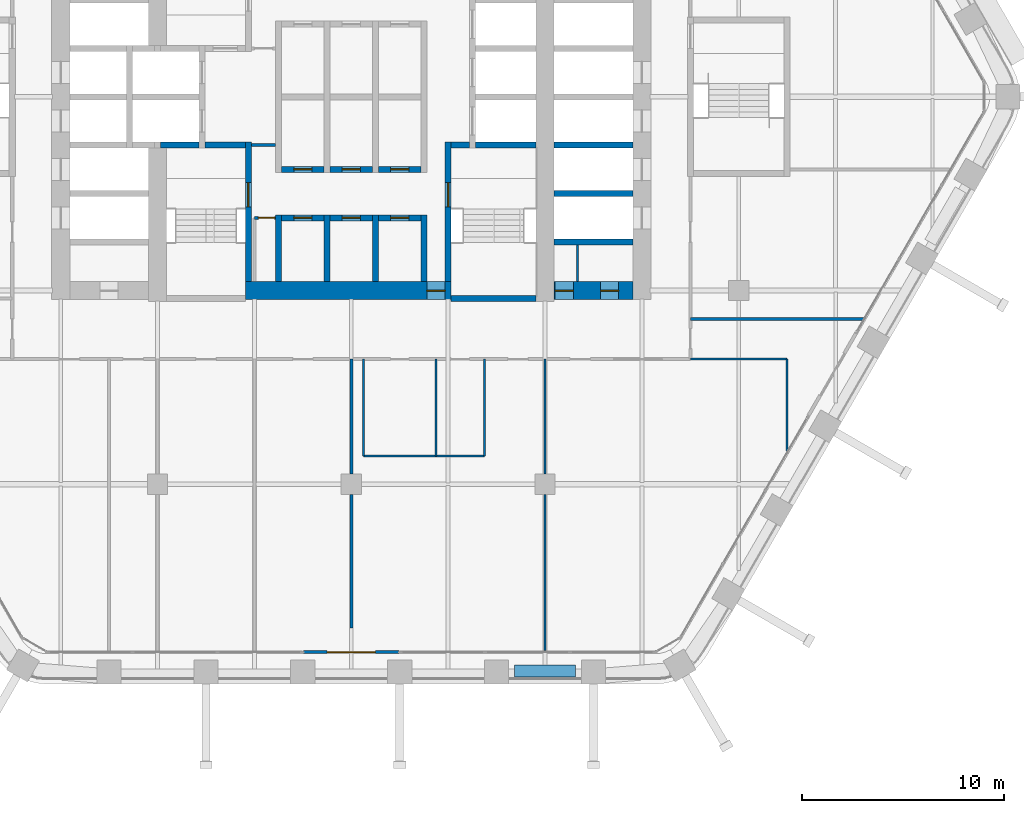
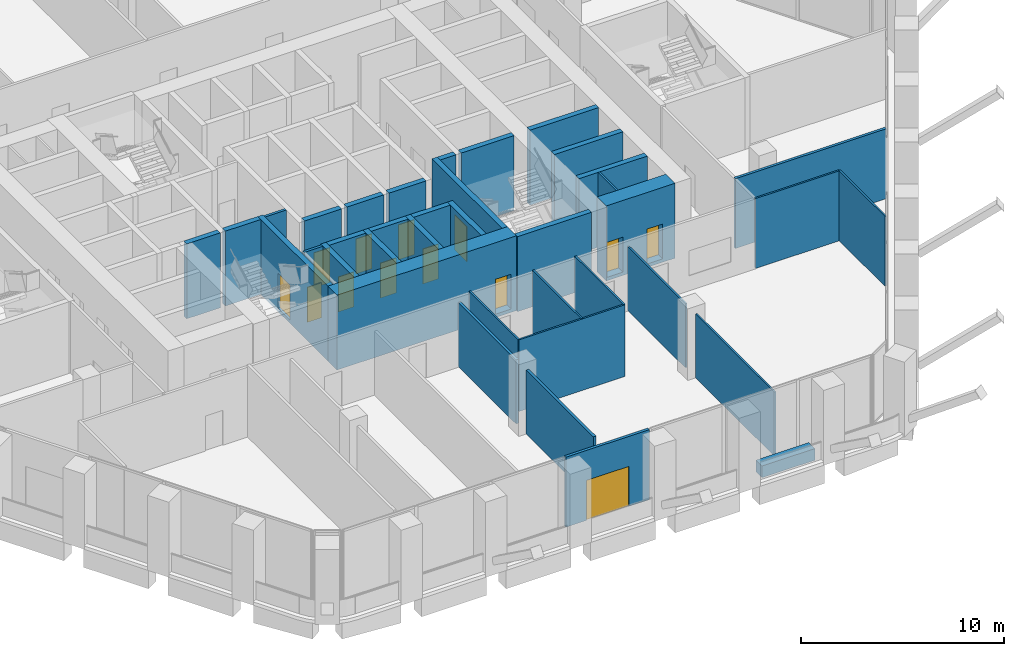
# One storey, part 14 of 24: 38 walls, 13 doors, 13 openings.
"""IFC4 building model written with IfcOpenShell, lengths in metres."""

from ifc_helpers import new_model, si_unit, direction, frame, frame_2d, origin, place, context, subcontext, project, spatial, rectangle, extrude, material, layer, layer_set, type_object, element, fill, save


model = new_model("IFC4")

# Units and contexts
model_context = context("Model", 3, precision=1e-05, world=origin(), true_north=direction((0.0, 1.0)))
body_context = subcontext(model_context, "Body", "Model", "MODEL_VIEW")
ifc_project = project(units=[si_unit("LENGTHUNIT", "METRE"), si_unit("AREAUNIT", "SQUARE_METRE"), si_unit("VOLUMEUNIT", "CUBIC_METRE"), si_unit("PLANEANGLEUNIT", "RADIAN"), si_unit("MASSUNIT", "GRAM", prefix="KILO")], contexts=[model_context])

# Site, building, storey
site_placement = place(None, origin())
site = spatial("IfcSite", under=ifc_project, at=site_placement, CompositionType="ELEMENT")
building_placement = place(site_placement, origin())
building = spatial("IfcBuilding", under=site, at=building_placement, Name="Kolab Exchange Tower", CompositionType="ELEMENT")
storey_placement = place(building_placement, frame((0.0, 0.0, 86.89990234375)))
storey = spatial("IfcBuildingStorey", under=building, at=storey_placement, Name="L16", CompositionType="ELEMENT", Elevation=86.89990234375)

# Wall, opening, door
ifc_material_1 = material(Name="Concrete C70/85", Category="concrete")
ifc_layer_1 = layer(ifc_material_1, 0.89990234375)
ifc_layer_set_1 = layer_set([ifc_layer_1], Name="Concrete C70/85")
wall_type_1 = type_object("IfcWallType", Name="CORE WALL 900 C70/85", PredefinedType="SHEAR", material=ifc_layer_set_1)
wall_1_placement = place(storey_placement, frame((-5.25, -9.60009765625, -0.199951171875), z_axis=(0.0, 0.0, 1.0), x_axis=(1.0, 0.0, 0.0)))
wall_1 = element("IfcWall", 1, at=wall_1_placement, inside=storey, type_object=wall_type_1, Name="wall/L16/core/003", PredefinedType="SHEAR", context=body_context, shape_type="SweptSolid", body=[
    extrude(rectangle(XDim=10.199951171875, YDim=0.89990234375, at=frame_2d((5.10009765625, 0.0))), origin(), (0.0, 0.0, 1.0), 4.5),
])
opening_1_placement = place(wall_1_placement, frame((9.0, 0.0, 0.199951171875)))
opening_1 = element("IfcOpeningElement", 2, at=opening_1_placement, cuts=wall_1, Name="Opening D6-216", PredefinedType="OPENING", context=body_context, shape_type="SweptSolid", body=[
    extrude(rectangle(XDim=0.89990234375, YDim=2.10009765625, at=frame_2d((0.449951171875, 1.050048828125))), frame((0.0, 0.4599609375, 0.0), z_axis=(0.0, -1.0, 0.0), x_axis=(1.0, 0.0, 0.0)), (0.0, 0.0, 1.0), 0.919921875),
])
ifc_material_2 = material(Name="Steel S235", Category="steel")
door_type_1 = type_object("IfcDoorType", Name="CORE DOOR 900 EI 120", OperationType="SINGLE_SWING_LEFT", PredefinedType="DOOR", material=ifc_material_2)
door_1_placement = place(opening_1_placement, origin())
door_1 = element("IfcDoor", 3, at=door_1_placement, inside=storey, type_object=door_type_1, Name="Core lobby door", OperationType="SINGLE_SWING_LEFT", OverallHeight=2.10009765625, OverallWidth=0.89990234375, PredefinedType="DOOR", context=body_context, shape_type="SweptSolid", body=[
    extrude(rectangle(XDim=0.89990234375, YDim=2.10009765625, at=frame_2d((0.449951171875, 1.050048828125))), frame((0.0, 0.02490234375, 0.0), z_axis=(0.0, -1.0, 0.0), x_axis=(1.0, 0.0, 0.0)), (0.0, 0.0, 1.0), 0.050048828125),
])
fill(opening_1, door_1)

# Wall, openings, doors
wall_2_placement = place(storey_placement, frame((10.050048828125, -9.60009765625, -0.199951171875), z_axis=(0.0, 0.0, 1.0), x_axis=(1.0, 0.0, 0.0)))
wall_2 = element("IfcWall", 4, at=wall_2_placement, inside=storey, type_object=wall_type_1, Name="wall/L16/core/004", PredefinedType="SHEAR", context=body_context, shape_type="SweptSolid", body=[
    extrude(rectangle(XDim=3.89990234375, YDim=0.89990234375, at=frame_2d((1.949951171875, 0.0))), origin(), (0.0, 0.0, 1.0), 4.5),
])
opening_2_placement = place(wall_2_placement, frame((0.050048828125, 0.0, 0.199951171875)))
opening_2 = element("IfcOpeningElement", 5, at=opening_2_placement, cuts=wall_2, Name="Opening D6-219", PredefinedType="OPENING", context=body_context, shape_type="SweptSolid", body=[
    extrude(rectangle(XDim=0.89990234375, YDim=2.10009765625, at=frame_2d((0.449951171875, 1.050048828125))), frame((0.0, 0.4599609375, 0.0), z_axis=(0.0, -1.0, 0.0), x_axis=(1.0, 0.0, 0.0)), (0.0, 0.0, 1.0), 0.919921875),
])
opening_3_placement = place(wall_2_placement, frame((2.300048828125, 0.0, 0.199951171875)))
opening_3 = element("IfcOpeningElement", 6, at=opening_3_placement, cuts=wall_2, Name="Opening D6-220", PredefinedType="OPENING", context=body_context, shape_type="SweptSolid", body=[
    extrude(rectangle(XDim=0.89990234375, YDim=2.10009765625, at=frame_2d((0.449951171875, 1.050048828125))), frame((0.0, 0.4599609375, 0.0), z_axis=(0.0, -1.0, 0.0), x_axis=(1.0, 0.0, 0.0)), (0.0, 0.0, 1.0), 0.919921875),
])
door_2_placement = place(opening_2_placement, origin())
door_2 = element("IfcDoor", 7, at=door_2_placement, inside=storey, type_object=door_type_1, Name="Service room door", OperationType="SINGLE_SWING_RIGHT", OverallHeight=2.10009765625, OverallWidth=0.89990234375, PredefinedType="DOOR", context=body_context, shape_type="SweptSolid", body=[
    extrude(rectangle(XDim=0.89990234375, YDim=2.10009765625, at=frame_2d((0.449951171875, 1.050048828125))), frame((0.0, 0.02490234375, 0.0), z_axis=(0.0, -1.0, 0.0), x_axis=(1.0, 0.0, 0.0)), (0.0, 0.0, 1.0), 0.050048828125),
])
fill(opening_2, door_2)
door_3_placement = place(opening_3_placement, origin())
door_3 = element("IfcDoor", 8, at=door_3_placement, inside=storey, type_object=door_type_1, Name="Service room door", OperationType="SINGLE_SWING_RIGHT", OverallHeight=2.10009765625, OverallWidth=0.89990234375, PredefinedType="DOOR", context=body_context, shape_type="SweptSolid", body=[
    extrude(rectangle(XDim=0.89990234375, YDim=2.10009765625, at=frame_2d((0.449951171875, 1.050048828125))), frame((0.0, 0.02490234375, 0.0), z_axis=(0.0, -1.0, 0.0), x_axis=(1.0, 0.0, 0.0)), (0.0, 0.0, 1.0), 0.050048828125),
])
fill(opening_3, door_3)

# Wall, opening, door
ifc_material_3 = material(Name="Aluminium EN AW-6063 T6", Category="aluminium")
ifc_layer_2 = layer(ifc_material_3, 0.159912109375)
ifc_layer_set_2 = layer_set([ifc_layer_2], Name="Aluminium EN AW-6063 T6")
wall_type_2 = type_object("IfcWallType", Name="DOOR SURROUND WALL 160 ALUMINIUM FRAMED", PredefinedType="PARTITIONING", material=ifc_layer_set_2)
wall_3_placement = place(storey_placement, frame((2.3701171875, -27.5185546875, 0.0), z_axis=(0.0, 0.0, 1.0), x_axis=(-1.0, 0.0, 0.0)))
wall_3 = element("IfcWall", 9, at=wall_3_placement, inside=storey, type_object=wall_type_2, Name="Door surround wall", PredefinedType="PARTITIONING", context=body_context, shape_type="SweptSolid", body=[
    extrude(rectangle(XDim=4.740234375, YDim=0.159912109375, at=frame_2d((2.3701171875, 0.0))), origin(), (0.0, 0.0, 1.0), 4.2001953125),
])
opening_4_placement = place(wall_3_placement, frame((1.169921875, 0.0, 0.0)))
opening_4 = element("IfcOpeningElement", 10, at=opening_4_placement, cuts=wall_3, Name="Opening GD1-046", PredefinedType="OPENING", context=body_context, shape_type="SweptSolid", body=[
    extrude(rectangle(XDim=2.39990234375, YDim=2.39990234375, at=frame_2d((1.199951171875, 1.199951171875))), frame((0.0, 0.08984375, 0.0), z_axis=(0.0, -1.0, 0.0), x_axis=(1.0, 0.0, 0.0)), (0.0, 0.0, 1.0), 0.179931640625),
])
door_type_2 = type_object("IfcDoorType", Name="LOGGIA SLIDING GLASS DOOR 2400 X 2400", OperationType="DOUBLE_DOOR_SINGLE_SWING", PredefinedType="DOOR", material=ifc_material_3)
door_4_placement = place(opening_4_placement, origin())
door_4 = element("IfcDoor", 11, at=door_4_placement, inside=storey, type_object=door_type_2, Name="Loggia door", OperationType="DOUBLE_DOOR_SLIDING", OverallHeight=2.39990234375, OverallWidth=2.39990234375, PredefinedType="DOOR", context=body_context, shape_type="SweptSolid", body=[
    extrude(rectangle(XDim=2.39990234375, YDim=2.39990234375, at=frame_2d((1.199951171875, 1.199951171875))), frame((0.0, 0.02490234375, 0.0), z_axis=(0.0, -1.0, 0.0), x_axis=(1.0, 0.0, 0.0)), (0.0, 0.0, 1.0), 0.050048828125),
])
fill(opening_4, door_4)

# Wall
ifc_material_4 = material(Name="Concrete C50/60", Category="concrete")
ifc_layer_3 = layer(ifc_material_4, 0.300048828125)
ifc_layer_set_3 = layer_set([ifc_layer_3], Name="Concrete C50/60")
wall_type_3 = type_object("IfcWallType", Name="LIFT SHAFT WALL 300 C50/60", PredefinedType="STANDARD", material=ifc_layer_set_3)
wall_4_placement = place(storey_placement, frame((10.050048828125, -7.199951171875, -0.199951171875), z_axis=(0.0, 0.0, 1.0), x_axis=(1.0, 0.0, 0.0)))
element("IfcWall", 12, at=wall_4_placement, inside=storey, type_object=wall_type_3, Name="wall/L16/core/006", PredefinedType="STANDARD", context=body_context, shape_type="SweptSolid", body=[
    extrude(rectangle(XDim=3.89990234375, YDim=0.300048828125, at=frame_2d((1.949951171875, 0.0))), origin(), (0.0, 0.0, 1.0), 4.5),
])

# Wall, opening, door
wall_5_placement = place(storey_placement, frame((-3.449951171875, -6.0, -0.199951171875), z_axis=(0.0, 0.0, 1.0), x_axis=(1.0, 0.0, 0.0)))
wall_5 = element("IfcWall", 13, at=wall_5_placement, inside=storey, type_object=wall_type_3, Name="wall/L16/core/007", PredefinedType="STANDARD", context=body_context, shape_type="SweptSolid", body=[
    extrude(rectangle(XDim=2.099853515625, YDim=0.300048828125, at=frame_2d((1.0498046875, 0.0))), origin(), (0.0, 0.0, 1.0), 4.5),
])
opening_5_placement = place(wall_5_placement, frame((0.60009765625, 0.0, 0.199951171875)))
opening_5 = element("IfcOpeningElement", 14, at=opening_5_placement, cuts=wall_5, Name="Opening D6-202", PredefinedType="OPENING", context=body_context, shape_type="SweptSolid", body=[
    extrude(rectangle(XDim=0.89990234375, YDim=2.10009765625, at=frame_2d((0.449951171875, 1.050048828125))), frame((0.0, 0.16015625, 0.0), z_axis=(0.0, -1.0, 0.0), x_axis=(1.0, 0.0, 0.0)), (0.0, 0.0, 1.0), 0.320068359375),
])
door_5_placement = place(opening_5_placement, frame((0.89990234375, 0.0, 0.0), z_axis=(0.0, 0.0, 1.0), x_axis=(-1.0, 0.0, 0.0)))
door_5 = element("IfcDoor", 15, at=door_5_placement, inside=storey, type_object=door_type_1, Name="Service room door", OperationType="SINGLE_SWING_LEFT", OverallHeight=2.10009765625, OverallWidth=0.89990234375, PredefinedType="DOOR", context=body_context, shape_type="SweptSolid", body=[
    extrude(rectangle(XDim=0.89990234375, YDim=2.10009765625, at=frame_2d((0.449951171875, 1.050048828125))), frame((0.0, 0.02490234375, 0.0), z_axis=(0.0, -1.0, 0.0), x_axis=(1.0, 0.0, 0.0)), (0.0, 0.0, 1.0), 0.050048828125),
])
fill(opening_5, door_5)

wall_6_placement = place(storey_placement, frame((-1.050048828125, -6.0, -0.199951171875), z_axis=(0.0, 0.0, 1.0), x_axis=(1.0, 0.0, 0.0)))
wall_6 = element("IfcWall", 16, at=wall_6_placement, inside=storey, type_object=wall_type_3, Name="wall/L16/core/008", PredefinedType="STANDARD", context=body_context, shape_type="SweptSolid", body=[
    extrude(rectangle(XDim=2.10009765625, YDim=0.300048828125, at=frame_2d((1.050048828125, 0.0))), origin(), (0.0, 0.0, 1.0), 4.5),
])
opening_6_placement = place(wall_6_placement, frame((0.60009765625, 0.0, 0.199951171875)))
opening_6 = element("IfcOpeningElement", 17, at=opening_6_placement, cuts=wall_6, Name="Opening D6-201", PredefinedType="OPENING", context=body_context, shape_type="SweptSolid", body=[
    extrude(rectangle(XDim=0.89990234375, YDim=2.10009765625, at=frame_2d((0.449951171875, 1.050048828125))), frame((0.0, 0.16015625, 0.0), z_axis=(0.0, -1.0, 0.0), x_axis=(1.0, 0.0, 0.0)), (0.0, 0.0, 1.0), 0.320068359375),
])
door_6_placement = place(opening_6_placement, frame((0.89990234375, 0.0, 0.0), z_axis=(0.0, 0.0, 1.0), x_axis=(-1.0, 0.0, 0.0)))
door_6 = element("IfcDoor", 18, at=door_6_placement, inside=storey, type_object=door_type_1, Name="Service room door", OperationType="SINGLE_SWING_LEFT", OverallHeight=2.10009765625, OverallWidth=0.89990234375, PredefinedType="DOOR", context=body_context, shape_type="SweptSolid", body=[
    extrude(rectangle(XDim=0.89990234375, YDim=2.10009765625, at=frame_2d((0.449951171875, 1.050048828125))), frame((0.0, 0.02490234375, 0.0), z_axis=(0.0, -1.0, 0.0), x_axis=(1.0, 0.0, 0.0)), (0.0, 0.0, 1.0), 0.050048828125),
])
fill(opening_6, door_6)

wall_7_placement = place(storey_placement, frame((1.35009765625, -6.0, -0.199951171875), z_axis=(0.0, 0.0, 1.0), x_axis=(1.0, 0.0, 0.0)))
wall_7 = element("IfcWall", 19, at=wall_7_placement, inside=storey, type_object=wall_type_3, Name="wall/L16/core/009", PredefinedType="STANDARD", context=body_context, shape_type="SweptSolid", body=[
    extrude(rectangle(XDim=2.099853515625, YDim=0.300048828125, at=frame_2d((1.0498046875, 0.0))), origin(), (0.0, 0.0, 1.0), 4.5),
])
opening_7_placement = place(wall_7_placement, frame((0.60009765625, 0.0, 0.199951171875)))
opening_7 = element("IfcOpeningElement", 20, at=opening_7_placement, cuts=wall_7, Name="Opening D6-200", PredefinedType="OPENING", context=body_context, shape_type="SweptSolid", body=[
    extrude(rectangle(XDim=0.89990234375, YDim=2.10009765625, at=frame_2d((0.449951171875, 1.050048828125))), frame((0.0, 0.16015625, 0.0), z_axis=(0.0, -1.0, 0.0), x_axis=(1.0, 0.0, 0.0)), (0.0, 0.0, 1.0), 0.320068359375),
])
door_7_placement = place(opening_7_placement, frame((0.89990234375, 0.0, 0.0), z_axis=(0.0, 0.0, 1.0), x_axis=(-1.0, 0.0, 0.0)))
door_7 = element("IfcDoor", 21, at=door_7_placement, inside=storey, type_object=door_type_1, Name="Service room door", OperationType="SINGLE_SWING_RIGHT", OverallHeight=2.10009765625, OverallWidth=0.89990234375, PredefinedType="DOOR", context=body_context, shape_type="SweptSolid", body=[
    extrude(rectangle(XDim=0.89990234375, YDim=2.10009765625, at=frame_2d((0.449951171875, 1.050048828125))), frame((0.0, 0.02490234375, 0.0), z_axis=(0.0, -1.0, 0.0), x_axis=(1.0, 0.0, 0.0)), (0.0, 0.0, 1.0), 0.050048828125),
])
fill(opening_7, door_7)

# Wall
wall_8_placement = place(storey_placement, frame((10.050048828125, -4.800048828125, -0.199951171875), z_axis=(0.0, 0.0, 1.0), x_axis=(1.0, 0.0, 0.0)))
element("IfcWall", 22, at=wall_8_placement, inside=storey, type_object=wall_type_3, Name="wall/L16/core/011", PredefinedType="STANDARD", context=body_context, shape_type="SweptSolid", body=[
    extrude(rectangle(XDim=3.89990234375, YDim=0.300048828125, at=frame_2d((1.949951171875, 0.0))), origin(), (0.0, 0.0, 1.0), 4.5),
])

# Wall, opening, door
wall_9_placement = place(storey_placement, frame((-3.449951171875, -3.60009765625, -0.199951171875), z_axis=(0.0, 0.0, 1.0), x_axis=(1.0, 0.0, 0.0)))
wall_9 = element("IfcWall", 23, at=wall_9_placement, inside=storey, type_object=wall_type_3, Name="wall/L16/core/014", PredefinedType="STANDARD", context=body_context, shape_type="SweptSolid", body=[
    extrude(rectangle(XDim=2.099853515625, YDim=0.300048828125, at=frame_2d((1.0498046875, 0.0))), origin(), (0.0, 0.0, 1.0), 4.5),
])
opening_8_placement = place(wall_9_placement, frame((0.60009765625, 0.0, 0.199951171875)))
opening_8 = element("IfcOpeningElement", 24, at=opening_8_placement, cuts=wall_9, Name="Opening D6-199", PredefinedType="OPENING", context=body_context, shape_type="SweptSolid", body=[
    extrude(rectangle(XDim=0.89990234375, YDim=2.10009765625, at=frame_2d((0.449951171875, 1.050048828125))), frame((0.0, 0.16015625, 0.0), z_axis=(0.0, -1.0, 0.0), x_axis=(1.0, 0.0, 0.0)), (0.0, 0.0, 1.0), 0.320068359375),
])
door_8_placement = place(opening_8_placement, origin())
door_8 = element("IfcDoor", 25, at=door_8_placement, inside=storey, type_object=door_type_1, Name="Service room door", OperationType="SINGLE_SWING_LEFT", OverallHeight=2.10009765625, OverallWidth=0.89990234375, PredefinedType="DOOR", context=body_context, shape_type="SweptSolid", body=[
    extrude(rectangle(XDim=0.89990234375, YDim=2.10009765625, at=frame_2d((0.449951171875, 1.050048828125))), frame((0.0, 0.02490234375, 0.0), z_axis=(0.0, -1.0, 0.0), x_axis=(1.0, 0.0, 0.0)), (0.0, 0.0, 1.0), 0.050048828125),
])
fill(opening_8, door_8)

wall_10_placement = place(storey_placement, frame((-1.050048828125, -3.60009765625, -0.199951171875), z_axis=(0.0, 0.0, 1.0), x_axis=(1.0, 0.0, 0.0)))
wall_10 = element("IfcWall", 26, at=wall_10_placement, inside=storey, type_object=wall_type_3, Name="wall/L16/core/015", PredefinedType="STANDARD", context=body_context, shape_type="SweptSolid", body=[
    extrude(rectangle(XDim=2.10009765625, YDim=0.300048828125, at=frame_2d((1.050048828125, 0.0))), origin(), (0.0, 0.0, 1.0), 4.5),
])
opening_9_placement = place(wall_10_placement, frame((0.60009765625, 0.0, 0.199951171875)))
opening_9 = element("IfcOpeningElement", 27, at=opening_9_placement, cuts=wall_10, Name="Opening D6-215", PredefinedType="OPENING", context=body_context, shape_type="SweptSolid", body=[
    extrude(rectangle(XDim=0.89990234375, YDim=2.10009765625, at=frame_2d((0.449951171875, 1.050048828125))), frame((0.0, 0.16015625, 0.0), z_axis=(0.0, -1.0, 0.0), x_axis=(1.0, 0.0, 0.0)), (0.0, 0.0, 1.0), 0.320068359375),
])
door_9_placement = place(opening_9_placement, origin())
door_9 = element("IfcDoor", 28, at=door_9_placement, inside=storey, type_object=door_type_1, Name="Service room door", OperationType="SINGLE_SWING_LEFT", OverallHeight=2.10009765625, OverallWidth=0.89990234375, PredefinedType="DOOR", context=body_context, shape_type="SweptSolid", body=[
    extrude(rectangle(XDim=0.89990234375, YDim=2.10009765625, at=frame_2d((0.449951171875, 1.050048828125))), frame((0.0, 0.02490234375, 0.0), z_axis=(0.0, -1.0, 0.0), x_axis=(1.0, 0.0, 0.0)), (0.0, 0.0, 1.0), 0.050048828125),
])
fill(opening_9, door_9)

wall_11_placement = place(storey_placement, frame((1.35009765625, -3.60009765625, -0.199951171875), z_axis=(0.0, 0.0, 1.0), x_axis=(1.0, 0.0, 0.0)))
wall_11 = element("IfcWall", 29, at=wall_11_placement, inside=storey, type_object=wall_type_3, Name="wall/L16/core/016", PredefinedType="STANDARD", context=body_context, shape_type="SweptSolid", body=[
    extrude(rectangle(XDim=2.099853515625, YDim=0.300048828125, at=frame_2d((1.0498046875, 0.0))), origin(), (0.0, 0.0, 1.0), 4.5),
])
opening_10_placement = place(wall_11_placement, frame((0.60009765625, 0.0, 0.199951171875)))
opening_10 = element("IfcOpeningElement", 30, at=opening_10_placement, cuts=wall_11, Name="Opening D6-197", PredefinedType="OPENING", context=body_context, shape_type="SweptSolid", body=[
    extrude(rectangle(XDim=0.89990234375, YDim=2.10009765625, at=frame_2d((0.449951171875, 1.050048828125))), frame((0.0, 0.16015625, 0.0), z_axis=(0.0, -1.0, 0.0), x_axis=(1.0, 0.0, 0.0)), (0.0, 0.0, 1.0), 0.320068359375),
])
door_10_placement = place(opening_10_placement, origin())
door_10 = element("IfcDoor", 31, at=door_10_placement, inside=storey, type_object=door_type_1, Name="Service room door", OperationType="SINGLE_SWING_RIGHT", OverallHeight=2.10009765625, OverallWidth=0.89990234375, PredefinedType="DOOR", context=body_context, shape_type="SweptSolid", body=[
    extrude(rectangle(XDim=0.89990234375, YDim=2.10009765625, at=frame_2d((0.449951171875, 1.050048828125))), frame((0.0, 0.02490234375, 0.0), z_axis=(0.0, -1.0, 0.0), x_axis=(1.0, 0.0, 0.0)), (0.0, 0.0, 1.0), 0.050048828125),
])
fill(opening_10, door_10)

# Walls
wall_12_placement = place(storey_placement, frame((10.050048828125, -2.39990234375, -0.199951171875), z_axis=(0.0, 0.0, 1.0), x_axis=(1.0, 0.0, 0.0)))
element("IfcWall", 32, at=wall_12_placement, inside=storey, type_object=wall_type_3, Name="wall/L16/core/023", PredefinedType="STANDARD", context=body_context, shape_type="SweptSolid", body=[
    extrude(rectangle(XDim=3.89990234375, YDim=0.300048828125, at=frame_2d((1.949951171875, 0.0))), origin(), (0.0, 0.0, 1.0), 4.5),
])
for number, where, z_axis, x_axis, name in (
    (33, (-3.60009765625, -9.14990234375, -0.199951171875), (0.0, 0.0, 1.0), (0.0, 1.0, 0.0), "wall/L16/core/066"),
    (34, (-1.199951171875, -9.14990234375, -0.199951171875), (0.0, 0.0, 1.0), (0.0, 1.0, 0.0), "wall/L16/core/069"),
    (35, (1.199951171875, -9.14990234375, -0.199951171875), (0.0, 0.0, 1.0), (0.0, 1.0, 0.0), "wall/L16/core/072"),
    (36, (3.60009765625, -9.14990234375, -0.199951171875), (0.0, 0.0, 1.0), (0.0, 1.0, 0.0), "wall/L16/core/075"),
):
    element("IfcWall", number, at=place(storey_placement, frame(where, z_axis=z_axis, x_axis=x_axis)), inside=storey, type_object=wall_type_3, Name=name, PredefinedType="STANDARD", context=body_context, shape_type="SweptSolid", body=[
        extrude(rectangle(XDim=3.2998046875, YDim=0.300048828125, at=frame_2d((1.64990234375, 0.0))), origin(), (0.0, 0.0, 1.0), 4.5),
    ])
ifc_material_5 = material(Name="Gypsum board", Category="gypsum")
ifc_layer_4 = layer(ifc_material_5, 0.10009765625)
ifc_layer_set_4 = layer_set([ifc_layer_4], Name="Gypsum board")
wall_type_4 = type_object("IfcWallType", Name="PARTITION 100", PredefinedType="PARTITIONING", material=ifc_layer_set_4)
wall_13_placement = place(storey_placement, frame((21.60009765625, -17.544677734375, 0.0), z_axis=(0.0, 0.0, 1.0), x_axis=(0.0, 1.0, 0.0)))
element("IfcWall", 37, at=wall_13_placement, inside=storey, type_object=wall_type_4, Name="Partition 000", PredefinedType="PARTITIONING", context=body_context, shape_type="SweptSolid", body=[
    extrude(rectangle(XDim=4.544677734375, YDim=0.10009765625, at=frame_2d((2.2724609375, 0.0))), origin(), (0.0, 0.0, 1.0), 4.2001953125),
])
wall_14_placement = place(storey_placement, frame((11.199951171875, -9.14990234375, 0.0), z_axis=(0.0, 0.0, 1.0), x_axis=(0.0, 1.0, 0.0)))
element("IfcWall", 38, at=wall_14_placement, inside=storey, type_object=wall_type_4, Name="Partition 005", PredefinedType="PARTITIONING", context=body_context, shape_type="SweptSolid", body=[
    extrude(rectangle(XDim=1.7998046875, YDim=0.10009765625, at=frame_2d((0.89990234375, 0.0))), origin(), (0.0, 0.0, 1.0), 4.300048828125),
])
wall_15_placement = place(storey_placement, frame((9.60009765625, -27.428466796875, 0.0), z_axis=(0.0, 0.0, 1.0), x_axis=(0.0, 1.0, 0.0)))
element("IfcWall", 39, at=wall_15_placement, inside=storey, type_object=wall_type_4, Name="Partition 006", PredefinedType="PARTITIONING", context=body_context, shape_type="SweptSolid", body=[
    extrude(rectangle(XDim=7.728515625, YDim=0.10009765625, at=frame_2d((3.8642578125, 0.0))), origin(), (0.0, 0.0, 1.0), 3.843017578125),
])
wall_16_placement = place(storey_placement, frame((9.60009765625, -18.699951171875, 0.0), z_axis=(0.0, 0.0, 1.0), x_axis=(0.0, 1.0, 0.0)))
element("IfcWall", 40, at=wall_16_placement, inside=storey, type_object=wall_type_4, Name="Partition 007", PredefinedType="PARTITIONING", context=body_context, shape_type="SweptSolid", body=[
    extrude(rectangle(XDim=5.699951171875, YDim=0.10009765625, at=frame_2d((2.85009765625, 0.0))), origin(), (0.0, 0.0, 1.0), 3.843017578125),
])
for number, where, z_axis, x_axis, name in (
    (41, (6.60009765625, -17.800048828125, 0.0), (0.0, 0.0, 1.0), (0.0, 1.0, 0.0), "Partition 010"),
    (42, (4.199951171875, -17.800048828125, 0.0), (0.0, 0.0, 1.0), (0.0, 1.0, 0.0), "Partition 011"),
    (43, (0.60009765625, -17.800048828125, 0.0), (0.0, 0.0, 1.0), (0.0, 1.0, 0.0), "Partition 012"),
):
    element("IfcWall", number, at=place(storey_placement, frame(where, z_axis=z_axis, x_axis=x_axis)), inside=storey, type_object=wall_type_4, Name=name, PredefinedType="PARTITIONING", context=body_context, shape_type="SweptSolid", body=[
        extrude(rectangle(XDim=4.800048828125, YDim=0.10009765625, at=frame_2d((2.39990234375, 0.0))), origin(), (0.0, 0.0, 1.0), 4.300048828125),
    ])
wall_17_placement = place(storey_placement, frame((0.60009765625, -17.800048828125, 0.0), z_axis=(0.0, 0.0, 1.0), x_axis=(1.0, 0.0, 0.0)))
element("IfcWall", 44, at=wall_17_placement, inside=storey, type_object=wall_type_4, Name="Partition 032", PredefinedType="PARTITIONING", context=body_context, shape_type="SweptSolid", body=[
    extrude(rectangle(XDim=6.0, YDim=0.10009765625, at=frame_2d((3.0, 0.0))), origin(), (0.0, 0.0, 1.0), 4.300048828125),
])
wall_18_placement = place(storey_placement, frame((16.800048828125, -13.0, 0.0), z_axis=(0.0, 0.0, 1.0), x_axis=(1.0, 0.0, 0.0)))
element("IfcWall", 45, at=wall_18_placement, inside=storey, type_object=wall_type_4, Name="Partition 033", PredefinedType="PARTITIONING", context=body_context, shape_type="SweptSolid", body=[
    extrude(rectangle(XDim=4.800048828125, YDim=0.10009765625, at=frame_2d((2.39990234375, 0.0))), origin(), (0.0, 0.0, 1.0), 4.2001953125),
])
ifc_layer_5 = layer(ifc_material_5, 0.14990234375)
ifc_layer_set_5 = layer_set([ifc_layer_5], Name="Gypsum board")
wall_type_5 = type_object("IfcWallType", Name="PARTITION 150 FIRE-RATED", PredefinedType="PARTITIONING", material=ifc_layer_set_5)
wall_19_placement = place(storey_placement, frame((0.0, -26.318603515625, 0.0), z_axis=(0.0, 0.0, 1.0), x_axis=(0.0, 1.0, 0.0)))
element("IfcWall", 46, at=wall_19_placement, inside=storey, type_object=wall_type_5, Name="Partition 013", PredefinedType="PARTITIONING", context=body_context, shape_type="SweptSolid", body=[
    extrude(rectangle(XDim=6.61865234375, YDim=0.14990234375, at=frame_2d((3.309326171875, 0.0))), origin(), (0.0, 0.0, 1.0), 3.843017578125),
])
wall_20_placement = place(storey_placement, frame((0.0, -18.699951171875, 0.0), z_axis=(0.0, 0.0, 1.0), x_axis=(0.0, 1.0, 0.0)))
element("IfcWall", 47, at=wall_20_placement, inside=storey, type_object=wall_type_5, Name="Partition 014", PredefinedType="PARTITIONING", context=body_context, shape_type="SweptSolid", body=[
    extrude(rectangle(XDim=5.699951171875, YDim=0.14990234375, at=frame_2d((2.85009765625, 0.0))), origin(), (0.0, 0.0, 1.0), 3.843017578125),
])
wall_21_placement = place(storey_placement, frame((16.800048828125, -11.0, 0.0), z_axis=(0.0, 0.0, 1.0), x_axis=(1.0, 0.0, 0.0)))
element("IfcWall", 48, at=wall_21_placement, inside=storey, type_object=wall_type_5, Name="Partition 035", PredefinedType="PARTITIONING", context=body_context, shape_type="SweptSolid", body=[
    extrude(rectangle(XDim=8.578369140625, YDim=0.14990234375, at=frame_2d((4.2890625, 0.0))), origin(), (0.0, 0.0, 1.0), 4.2001953125),
])

# Wall, opening, door
wall_22_placement = place(storey_placement, frame((-4.800048828125, -6.0, 0.0), z_axis=(0.0, 0.0, 1.0), x_axis=(1.0, 0.0, 0.0)))
wall_22 = element("IfcWall", 49, at=wall_22_placement, inside=storey, type_object=wall_type_5, Name="Partition 038", PredefinedType="PARTITIONING", context=body_context, shape_type="SweptSolid", body=[
    extrude(rectangle(XDim=1.050048828125, YDim=0.14990234375, at=frame_2d((0.52490234375, 0.0))), origin(), (0.0, 0.0, 1.0), 4.300048828125),
])
opening_11_placement = place(wall_22_placement, frame((0.199951171875, 0.0, 0.0)))
opening_11 = element("IfcOpeningElement", 50, at=opening_11_placement, cuts=wall_22, Name="Opening D7-020", PredefinedType="OPENING", context=body_context, shape_type="SweptSolid", body=[
    extrude(rectangle(XDim=0.800048828125, YDim=2.10009765625, at=frame_2d((0.39990234375, 1.050048828125))), frame((0.0, 0.0849609375, 0.0), z_axis=(0.0, -1.0, 0.0), x_axis=(1.0, 0.0, 0.0)), (0.0, 0.0, 1.0), 0.169921875),
])
door_type_3 = type_object("IfcDoorType", Name="FLUSH DOOR 800 FD60", OperationType="SINGLE_SWING_LEFT", PredefinedType="DOOR", material=ifc_material_2)
door_11_placement = place(opening_11_placement, frame((0.800048828125, 0.0, 0.0), z_axis=(0.0, 0.0, 1.0), x_axis=(-1.0, 0.0, 0.0)))
door_11 = element("IfcDoor", 51, at=door_11_placement, inside=storey, type_object=door_type_3, Name="Door L16-041", OperationType="SINGLE_SWING_RIGHT", OverallHeight=2.10009765625, OverallWidth=0.800048828125, PredefinedType="DOOR", context=body_context, shape_type="SweptSolid", body=[
    extrude(rectangle(XDim=0.800048828125, YDim=2.10009765625, at=frame_2d((0.39990234375, 1.050048828125))), frame((0.0, 0.02490234375, 0.0), z_axis=(0.0, -1.0, 0.0), x_axis=(1.0, 0.0, 0.0)), (0.0, 0.0, 1.0), 0.050048828125),
])
fill(opening_11, door_11)

# Walls
wall_23_placement = place(storey_placement, frame((-4.949951171875, -2.39990234375, 0.0), z_axis=(0.0, 0.0, 1.0), x_axis=(1.0, 0.0, 0.0)))
element("IfcWall", 52, at=wall_23_placement, inside=storey, type_object=wall_type_5, Name="Fire partition", PredefinedType="PARTITIONING", context=body_context, shape_type="SweptSolid", body=[
    extrude(rectangle(XDim=1.199951171875, YDim=0.14990234375, at=frame_2d((0.60009765625, 0.0))), origin(), (0.0, 0.0, 1.0), 4.300048828125),
])
ifc_material_6 = material(Name="Granite facing", Category="masonry")
ifc_layer_6 = layer(ifc_material_6, 0.0400390625)
ifc_material_7 = material(Name="Concrete C40/50 precast", Category="concrete")
ifc_layer_7 = layer(ifc_material_7, 0.56005859375)
ifc_layer_set_6 = layer_set([ifc_layer_6, ifc_layer_7], Name="Concrete C40/50 precast")
wall_type_6 = type_object("IfcWallType", Name="PLANTER BOX 600 X 700 SOIL DEPTH 550", PredefinedType="USERDEFINED", material=ifc_layer_set_6)
wall_24_placement = place(storey_placement, frame((11.10009765625, -28.448486328125, 0.0), z_axis=(0.0, 0.0, 1.0), x_axis=(-1.0, 0.0, 0.0)))
element("IfcWall", 53, at=wall_24_placement, inside=storey, type_object=wall_type_6, Name="Planter", ObjectType="PLANTER", PredefinedType="USERDEFINED", context=body_context, shape_type="SweptSolid", body=[
    extrude(rectangle(XDim=3.0, YDim=0.60009765625, at=frame_2d((1.5, 0.0))), origin(), (0.0, 0.0, 1.0), 0.7001953125),
])
ifc_layer_8 = layer(ifc_material_4, 0.300048828125)
ifc_layer_set_7 = layer_set([ifc_layer_8], Name="Concrete C50/60")
wall_type_7 = type_object("IfcWallType", Name="STAIR ENCLOSURE WALL 300 C50/60", PredefinedType="STANDARD", material=ifc_layer_set_7)
wall_25_placement = place(storey_placement, frame((4.949951171875, -10.0, -0.199951171875), z_axis=(0.0, 0.0, 1.0), x_axis=(1.0, 0.0, 0.0)))
element("IfcWall", 54, at=wall_25_placement, inside=storey, type_object=wall_type_7, Name="wall/L16/core/001", PredefinedType="STANDARD", context=body_context, shape_type="SweptSolid", body=[
    extrude(rectangle(XDim=4.199951171875, YDim=0.300048828125, at=frame_2d((2.10009765625, 0.0))), origin(), (0.0, 0.0, 1.0), 4.5),
])
wall_26_placement = place(storey_placement, frame((-9.449951171875, -2.39990234375, -0.199951171875), z_axis=(0.0, 0.0, 1.0), x_axis=(1.0, 0.0, 0.0)))
element("IfcWall", 55, at=wall_26_placement, inside=storey, type_object=wall_type_7, Name="wall/L16/core/019", PredefinedType="STANDARD", context=body_context, shape_type="SweptSolid", body=[
    extrude(rectangle(XDim=1.89990234375, YDim=0.300048828125, at=frame_2d((0.949951171875, 0.0))), origin(), (0.0, 0.0, 1.0), 4.5),
])
wall_27_placement = place(storey_placement, frame((-7.25, -2.39990234375, -0.199951171875), z_axis=(0.0, 0.0, 1.0), x_axis=(1.0, 0.0, 0.0)))
element("IfcWall", 56, at=wall_27_placement, inside=storey, type_object=wall_type_7, Name="wall/L16/core/020", PredefinedType="STANDARD", context=body_context, shape_type="SweptSolid", body=[
    extrude(rectangle(XDim=2.0, YDim=0.300048828125, at=frame_2d((1.0, 0.0))), origin(), (0.0, 0.0, 1.0), 4.5),
])
wall_28_placement = place(storey_placement, frame((4.949951171875, -2.39990234375, -0.199951171875), z_axis=(0.0, 0.0, 1.0), x_axis=(1.0, 0.0, 0.0)))
element("IfcWall", 57, at=wall_28_placement, inside=storey, type_object=wall_type_7, Name="wall/L16/core/021", PredefinedType="STANDARD", context=body_context, shape_type="SweptSolid", body=[
    extrude(rectangle(XDim=0.900146484375, YDim=0.300048828125, at=frame_2d((0.4501953125, 0.0))), origin(), (0.0, 0.0, 1.0), 4.5),
])
wall_29_placement = place(storey_placement, frame((6.14990234375, -2.39990234375, -0.199951171875), z_axis=(0.0, 0.0, 1.0), x_axis=(1.0, 0.0, 0.0)))
element("IfcWall", 58, at=wall_29_placement, inside=storey, type_object=wall_type_7, Name="wall/L16/core/022", PredefinedType="STANDARD", context=body_context, shape_type="SweptSolid", body=[
    extrude(rectangle(XDim=3.0, YDim=0.300048828125, at=frame_2d((1.5, 0.0))), origin(), (0.0, 0.0, 1.0), 4.5),
])

# Wall, opening, door
wall_30_placement = place(storey_placement, frame((-5.10009765625, -9.14990234375, -0.199951171875), z_axis=(0.0, 0.0, 1.0), x_axis=(0.0, 1.0, 0.0)))
wall_30 = element("IfcWall", 59, at=wall_30_placement, inside=storey, type_object=wall_type_7, Name="wall/L16/core/064", PredefinedType="STANDARD", context=body_context, shape_type="SweptSolid", body=[
    extrude(rectangle(XDim=6.89990234375, YDim=0.300048828125, at=frame_2d((3.449951171875, 0.0))), origin(), (0.0, 0.0, 1.0), 4.5),
])
opening_12_placement = place(wall_30_placement, frame((3.699951171875, 0.0, 0.199951171875)))
opening_12 = element("IfcOpeningElement", 60, at=opening_12_placement, cuts=wall_30, Name="Opening D4-046", PredefinedType="OPENING", context=body_context, shape_type="SweptSolid", body=[
    extrude(rectangle(XDim=1.199951171875, YDim=2.10009765625, at=frame_2d((0.60009765625, 1.050048828125))), frame((0.0, 0.16015625, 0.0), z_axis=(0.0, -1.0, 0.0), x_axis=(1.0, 0.0, 0.0)), (0.0, 0.0, 1.0), 0.320068359375),
])
door_type_4 = type_object("IfcDoorType", Name="STAIR DOOR 1200 EI 120", OperationType="SINGLE_SWING_LEFT", PredefinedType="DOOR", material=ifc_material_2)
door_12_placement = place(opening_12_placement, origin())
door_12 = element("IfcDoor", 61, at=door_12_placement, inside=storey, type_object=door_type_4, Name="Stair 3 door", OperationType="SINGLE_SWING_RIGHT", OverallHeight=2.10009765625, OverallWidth=1.199951171875, PredefinedType="DOOR", context=body_context, shape_type="SweptSolid", body=[
    extrude(rectangle(XDim=1.199951171875, YDim=2.10009765625, at=frame_2d((0.60009765625, 1.050048828125))), frame((0.0, 0.02490234375, 0.0), z_axis=(0.0, -1.0, 0.0), x_axis=(1.0, 0.0, 0.0)), (0.0, 0.0, 1.0), 0.050048828125),
])
fill(opening_12, door_12)

wall_31_placement = place(storey_placement, frame((4.800048828125, -9.14990234375, -0.199951171875), z_axis=(0.0, 0.0, 1.0), x_axis=(0.0, 1.0, 0.0)))
wall_31 = element("IfcWall", 62, at=wall_31_placement, inside=storey, type_object=wall_type_7, Name="wall/L16/core/078", PredefinedType="STANDARD", context=body_context, shape_type="SweptSolid", body=[
    extrude(rectangle(XDim=6.89990234375, YDim=0.300048828125, at=frame_2d((3.449951171875, 0.0))), origin(), (0.0, 0.0, 1.0), 4.5),
])
opening_13_placement = place(wall_31_placement, frame((3.699951171875, 0.0, 0.199951171875)))
opening_13 = element("IfcOpeningElement", 63, at=opening_13_placement, cuts=wall_31, Name="Opening D4-045", PredefinedType="OPENING", context=body_context, shape_type="SweptSolid", body=[
    extrude(rectangle(XDim=1.199951171875, YDim=2.10009765625, at=frame_2d((0.60009765625, 1.050048828125))), frame((0.0, 0.16015625, 0.0), z_axis=(0.0, -1.0, 0.0), x_axis=(1.0, 0.0, 0.0)), (0.0, 0.0, 1.0), 0.320068359375),
])
door_13_placement = place(opening_13_placement, frame((1.199951171875, 0.0, 0.0), z_axis=(0.0, 0.0, 1.0), x_axis=(-1.0, 0.0, 0.0)))
door_13 = element("IfcDoor", 64, at=door_13_placement, inside=storey, type_object=door_type_4, Name="Stair 2 door", OperationType="SINGLE_SWING_RIGHT", OverallHeight=2.10009765625, OverallWidth=1.199951171875, PredefinedType="DOOR", context=body_context, shape_type="SweptSolid", body=[
    extrude(rectangle(XDim=1.199951171875, YDim=2.10009765625, at=frame_2d((0.60009765625, 1.050048828125))), frame((0.0, 0.02490234375, 0.0), z_axis=(0.0, -1.0, 0.0), x_axis=(1.0, 0.0, 0.0)), (0.0, 0.0, 1.0), 0.050048828125),
])
fill(opening_13, door_13)

save(model, "model.ifc")
